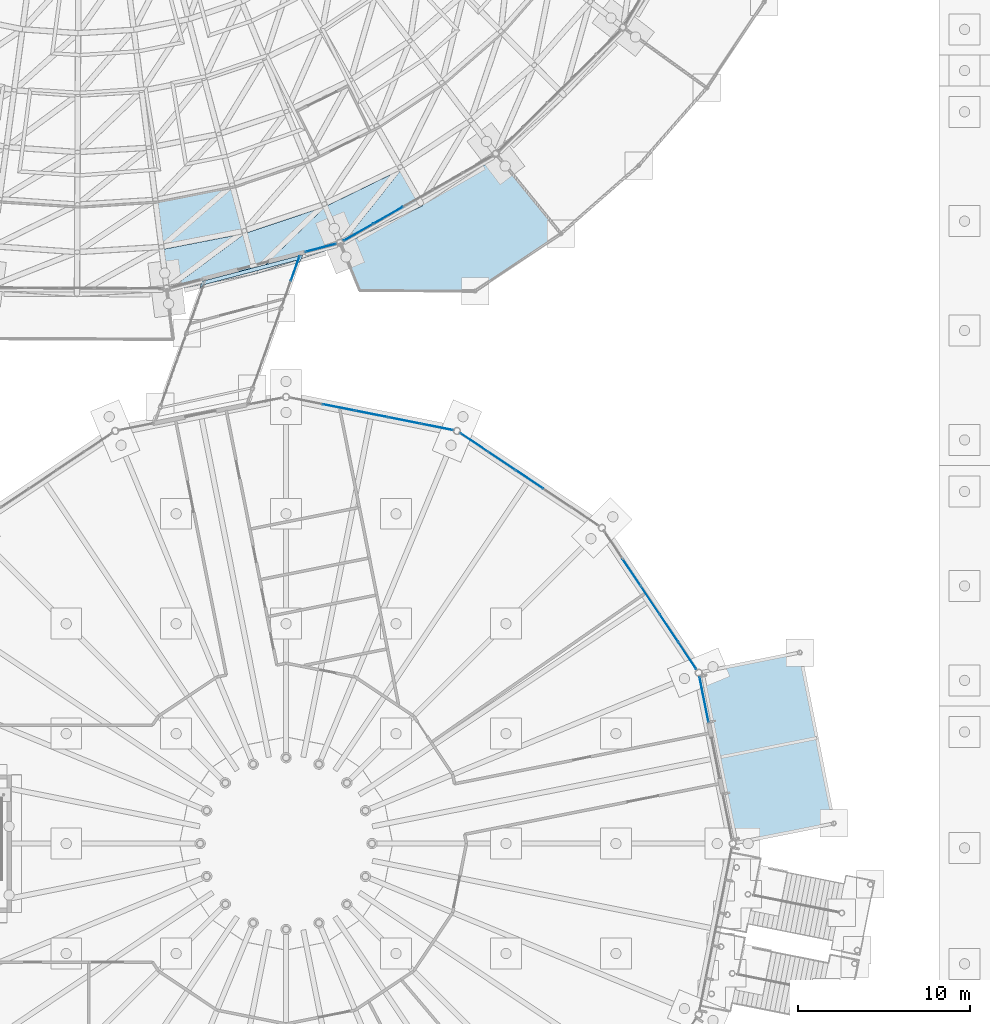
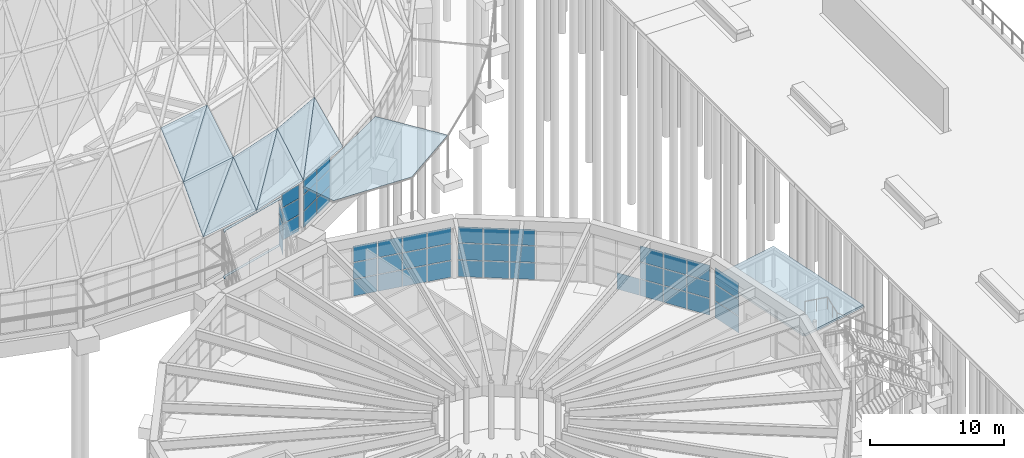
# One storey, part 145 of 226: 57 plates, 1 slab, 7 elements without a shape of their own.
"""IFC4 building model written with IfcOpenShell, lengths in metres."""

from ifc_helpers import new_model, si_unit, direction, frame, origin, origin_2d, place, context, subcontext, project, spatial, polyline, rectangle, outline, extrude, material, layer, layer_set, type_object, element, aggregate, save


model = new_model("IFC4")

# Units and contexts
model_context = context("Model", 3, precision=1e-05, world=origin(), true_north=direction((0.0, 1.0)))
body_context = subcontext(model_context, "Body", "Model", "MODEL_VIEW")
ifc_project = project(units=[si_unit("LENGTHUNIT", "METRE"), si_unit("AREAUNIT", "SQUARE_METRE"), si_unit("VOLUMEUNIT", "CUBIC_METRE"), si_unit("PLANEANGLEUNIT", "RADIAN"), si_unit("MASSUNIT", "GRAM", prefix="KILO")], contexts=[model_context])

# Site, building, storey
site_placement = place(None, origin())
site = spatial("IfcSite", under=ifc_project, at=site_placement, CompositionType="ELEMENT")
building_placement = place(site_placement, origin())
building = spatial("IfcBuilding", under=site, at=building_placement, Name="Ceibo Conservatory and Research Tower", CompositionType="ELEMENT")
storey_placement = place(building_placement, origin())
storey = spatial("IfcBuildingStorey", under=building, at=storey_placement, Name="L00", CompositionType="ELEMENT", Elevation=0.0)

# Plate
ifc_material_1 = material(Name="Laminated glass", Category="glass")
ifc_layer_1 = layer(ifc_material_1, 0.02490234375)
ifc_layer_set_1 = layer_set([ifc_layer_1], Name="Laminated glass")
plate_type_1 = type_object("IfcPlateType", Name="Canopy glass 25", PredefinedType="SHEET", material=ifc_layer_set_1)
plate_1_placement = place(storey_placement, frame((171.24072265625, 70.7470703125, 4.07275390625), z_axis=(-0.022878900714, 0.039944138186, -0.998939949009), x_axis=(0.868196413822, 0.496220702144, -4.2316112e-05)))
element("IfcPlate", 1, at=plate_1_placement, inside=storey, type_object=plate_type_1, Name="Brim canopy plate A-CP20", PredefinedType="SHEET", context=body_context, shape_type="SweptSolid", body=[
    extrude(outline(polyline([(0.0, 0.0), (10.50718953062486, 0.0), (11.456640293276486, 5.68010378332221), (5.454240966244903, 6.100396847066351), (-0.35906193109189305, 2.7294750221048445), (0.0, 0.0)])), origin(), (0.0, 0.0, 1.0), 0.02490234375),
])

# Curtain wall, plates
ifc_material_2 = material(Name="Aluminium and glass", Category="aluminium")
curtain_wall_type_1 = type_object("IfcCurtainWallType", Name="Drum curtain wall", PredefinedType="NOTDEFINED", material=ifc_material_2)
curtain_wall_1_placement = place(storey_placement, origin())
curtain_wall_1 = element("IfcCurtainWall", 2, at=curtain_wall_1_placement, inside=storey, type_object=curtain_wall_type_1, Name="Drum curtain wall A-CW19E", PredefinedType="NOTDEFINED")
ifc_layer_2 = layer(ifc_material_1, 0.028076171875)
ifc_layer_set_2 = layer_set([ifc_layer_2], Name="Laminated glass")
plate_type_2 = type_object("IfcPlateType", Name="Drum glass 28", PredefinedType="CURTAIN_PANEL", material=ifc_layer_set_2)
plate_2_placement = place(storey_placement, frame((170.02001953125, 70.681884765625, 0.06005859375), z_axis=(0.0, 0.0, 1.0), x_axis=(0.967045935266, 0.254601962062, 0.0)))
plate_2 = element("IfcPlate", 3, at=plate_2_placement, type_object=plate_type_2, Name="A-CW19E panel 1.1", PredefinedType="CURTAIN_PANEL", context=body_context, shape_type="SweptSolid", body=[
    extrude(rectangle(XDim=1.80224609375, YDim=0.028076171875, at=origin_2d()), origin(), (0.0, 0.0, 1.0), 1.43994140625),
])
plate_3_placement = place(storey_placement, frame((170.02001953125, 70.681884765625, 1.56005859375), z_axis=(0.0, 0.0, 1.0), x_axis=(0.967045935266, 0.254601962062, 0.0)))
plate_3 = element("IfcPlate", 4, at=plate_3_placement, type_object=plate_type_2, Name="A-CW19E panel 1.2", PredefinedType="CURTAIN_PANEL", context=body_context, shape_type="SweptSolid", body=[
    extrude(rectangle(XDim=1.80224609375, YDim=0.028076171875, at=origin_2d()), origin(), (0.0, 0.0, 1.0), 1.425048828125),
])
plate_4_placement = place(storey_placement, frame((170.02001953125, 70.681884765625, 3.044921875), z_axis=(0.0, 0.0, 1.0), x_axis=(0.967045935266, 0.254601962062, 0.0)))
plate_4 = element("IfcPlate", 5, at=plate_4_placement, type_object=plate_type_2, Name="A-CW19E panel 1.3", PredefinedType="CURTAIN_PANEL", context=body_context, shape_type="SweptSolid", body=[
    extrude(rectangle(XDim=1.80224609375, YDim=0.028076171875, at=origin_2d()), origin(), (0.0, 0.0, 1.0), 1.233154296875),
])
aggregate(curtain_wall_1, [plate_2, plate_3, plate_4])

curtain_wall_2_placement = place(storey_placement, origin())
curtain_wall_2 = element("IfcCurtainWall", 6, at=curtain_wall_2_placement, inside=storey, type_object=curtain_wall_type_1, Name="Drum curtain wall A-CW20", PredefinedType="NOTDEFINED")
plate_5_placement = place(storey_placement, frame((172.206787109375, 71.584716796875, 0.06005859375), z_axis=(0.0, 0.0, 1.0), x_axis=(0.868198821002, 0.49621649228, 0.0)))
plate_5 = element("IfcPlate", 7, at=plate_5_placement, type_object=plate_type_2, Name="A-CW20 panel 1.1", PredefinedType="CURTAIN_PANEL", context=body_context, shape_type="SweptSolid", body=[
    extrude(rectangle(XDim=1.917236328125, YDim=0.028076171875, at=origin_2d()), origin(), (0.0, 0.0, 1.0), 1.43994140625),
])
plate_6_placement = place(storey_placement, frame((172.206787109375, 71.584716796875, 1.56005859375), z_axis=(0.0, 0.0, 1.0), x_axis=(0.868198821002, 0.49621649228, 0.0)))
plate_6 = element("IfcPlate", 8, at=plate_6_placement, type_object=plate_type_2, Name="A-CW20 panel 1.2", PredefinedType="CURTAIN_PANEL", context=body_context, shape_type="SweptSolid", body=[
    extrude(rectangle(XDim=1.917236328125, YDim=0.028076171875, at=origin_2d()), origin(), (0.0, 0.0, 1.0), 1.425048828125),
])
plate_7_placement = place(storey_placement, frame((172.206787109375, 71.584716796875, 3.044921875), z_axis=(0.0, 0.0, 1.0), x_axis=(0.868198821002, 0.49621649228, 0.0)))
plate_7 = element("IfcPlate", 9, at=plate_7_placement, type_object=plate_type_2, Name="A-CW20 panel 1.3", PredefinedType="CURTAIN_PANEL", context=body_context, shape_type="SweptSolid", body=[
    extrude(rectangle(XDim=1.917236328125, YDim=0.028076171875, at=origin_2d()), origin(), (0.0, 0.0, 1.0), 1.233154296875),
])
plate_8_placement = place(storey_placement, frame((173.936279296875, 72.5732421875, 0.06005859375), z_axis=(0.0, 0.0, 1.0), x_axis=(0.868198821002, 0.49621649228, 0.0)))
plate_8 = element("IfcPlate", 10, at=plate_8_placement, type_object=plate_type_2, Name="A-CW20 panel 2.1", PredefinedType="CURTAIN_PANEL", context=body_context, shape_type="SweptSolid", body=[
    extrude(rectangle(XDim=1.947021484375, YDim=0.028076171875, at=origin_2d()), origin(), (0.0, 0.0, 1.0), 1.43994140625),
])
plate_9_placement = place(storey_placement, frame((173.936279296875, 72.5732421875, 1.56005859375), z_axis=(0.0, 0.0, 1.0), x_axis=(0.868198821002, 0.49621649228, 0.0)))
plate_9 = element("IfcPlate", 11, at=plate_9_placement, type_object=plate_type_2, Name="A-CW20 panel 2.2", PredefinedType="CURTAIN_PANEL", context=body_context, shape_type="SweptSolid", body=[
    extrude(rectangle(XDim=1.947021484375, YDim=0.028076171875, at=origin_2d()), origin(), (0.0, 0.0, 1.0), 1.425048828125),
])
plate_10_placement = place(storey_placement, frame((173.936279296875, 72.5732421875, 3.044921875), z_axis=(0.0, 0.0, 1.0), x_axis=(0.868198821002, 0.49621649228, 0.0)))
plate_10 = element("IfcPlate", 12, at=plate_10_placement, type_object=plate_type_2, Name="A-CW20 panel 2.3", PredefinedType="CURTAIN_PANEL", context=body_context, shape_type="SweptSolid", body=[
    extrude(rectangle(XDim=1.947021484375, YDim=0.028076171875, at=origin_2d()), origin(), (0.0, 0.0, 1.0), 1.233154296875),
])
aggregate(curtain_wall_2, [plate_5, plate_6, plate_7, plate_8, plate_9, plate_10])

curtain_wall_type_2 = type_object("IfcCurtainWallType", Name="Gallery curtain wall", PredefinedType="NOTDEFINED", material=ifc_material_2)
curtain_wall_3_placement = place(storey_placement, origin())
curtain_wall_3 = element("IfcCurtainWall", 13, at=curtain_wall_3_placement, inside=storey, type_object=curtain_wall_type_2, Name="Gallery curtain wall A-VC-CWN01", PredefinedType="NOTDEFINED")
ifc_layer_3 = layer(ifc_material_1, 0.028076171875)
ifc_layer_set_3 = layer_set([ifc_layer_3], Name="Laminated glass")
plate_type_3 = type_object("IfcPlateType", Name="Gallery glass 28", PredefinedType="CURTAIN_PANEL", material=ifc_layer_set_3)
plate_11_placement = place(storey_placement, frame((168.529296875, 69.47509765625, 0.06005859375), z_axis=(0.0, 0.0, 1.0), x_axis=(-0.335040023954, -0.942203896378, 0.0)))
plate_11 = element("IfcPlate", 14, at=plate_11_placement, type_object=plate_type_3, Name="A-VC-CWN01 panel 1.1", PredefinedType="CURTAIN_PANEL", context=body_context, shape_type="SweptSolid", body=[
    extrude(rectangle(XDim=1.484375, YDim=0.028076171875, at=origin_2d()), origin(), (0.0, 0.0, 1.0), 1.31005859375),
])
plate_12_placement = place(storey_placement, frame((168.529296875, 69.47509765625, 1.43017578125), z_axis=(0.0, 0.0, 1.0), x_axis=(-0.335040023954, -0.942203896378, 0.0)))
plate_12 = element("IfcPlate", 15, at=plate_12_placement, type_object=plate_type_3, Name="A-VC-CWN01 panel 1.2", PredefinedType="CURTAIN_PANEL", context=body_context, shape_type="SweptSolid", body=[
    extrude(rectangle(XDim=1.484375, YDim=0.028076171875, at=origin_2d()), origin(), (0.0, 0.0, 1.0), 1.340087890625),
])
plate_13_placement = place(storey_placement, frame((168.529296875, 69.47509765625, 2.830078125), z_axis=(0.0, 0.0, 1.0), x_axis=(-0.335040023954, -0.942203896378, 0.0)))
plate_13 = element("IfcPlate", 16, at=plate_13_placement, type_object=plate_type_3, Name="A-VC-CWN01 panel 1.3", PredefinedType="CURTAIN_PANEL", context=body_context, shape_type="SweptSolid", body=[
    extrude(rectangle(XDim=1.484375, YDim=0.028076171875, at=origin_2d()), origin(), (0.0, 0.0, 1.0), 0.909912109375),
])
aggregate(curtain_wall_3, [plate_11, plate_12, plate_13])

# Plates
ifc_layer_4 = layer(ifc_material_1, 0.035888671875)
ifc_layer_set_4 = layer_set([ifc_layer_4], Name="Laminated glass")
plate_type_4 = type_object("IfcPlateType", Name="Gridshell roof glass 36", PredefinedType="SHEET", material=ifc_layer_set_4)
plate_14_placement = place(storey_placement, frame((161.069091796875, 68.15380859375, 4.601806640625), z_axis=(0.158319653824, -0.814738778815, 0.557795311479), x_axis=(0.981638357486, 0.190751500946, 0.0)))
element("IfcPlate", 17, at=plate_14_placement, inside=storey, type_object=plate_type_4, Name="Glass panel A-P01-073", PredefinedType="SHEET", context=body_context, shape_type="SweptSolid", body=[
    extrude(outline(polyline([(0.0, 0.0), (5.253941702457205, 1.1102230246251565e-16), (5.093939743978923, 4.374936585347089), (0.0, 0.0)])), origin(), (0.0, 0.0, -1.0), 0.035888671875),
])
plate_15_placement = place(storey_placement, frame((161.069091796875, 68.15380859375, 4.601806640625), z_axis=(0.158457346714, -0.814794412678, 0.557674936088), x_axis=(0.675362560417, 0.501458973527, 0.540762711229)))
element("IfcPlate", 18, at=plate_15_placement, inside=storey, type_object=plate_type_4, Name="Glass panel A-P01-074", PredefinedType="SHEET", context=body_context, shape_type="SweptSolid", body=[
    extrude(outline(polyline([(0.0, 0.0), (6.71478162274072, 8.881784197001252e-16), (2.9715025227845504, 3.214375672527901), (0.0, 0.0)])), origin(), (0.0, 0.0, -1.0), 0.035888671875),
])
plate_16_placement = place(storey_placement, frame((166.2265625, 69.156005859375, 4.601806640625), z_axis=(0.263319331949, -0.787104212811, 0.557790182414), x_axis=(0.948338900526, 0.317259089309, 0.0)))
element("IfcPlate", 19, at=plate_16_placement, inside=storey, type_object=plate_type_4, Name="Glass panel A-P01-075", PredefinedType="SHEET", context=body_context, shape_type="SweptSolid", body=[
    extrude(outline(polyline([(0.0, 0.0), (5.254355962289331, 0.0), (5.094263083208822, 4.374918415704696), (0.0, 0.0)])), origin(), (0.0, 0.0, -1.0), 0.035888671875),
])
plate_17_placement = place(storey_placement, frame((166.2265625, 69.156005859375, 4.601806640625), z_axis=(0.263311939698, -0.787102300093, 0.55779637109), x_axis=(0.60415125181, 0.585318108136, 0.540743910945)))
element("IfcPlate", 20, at=plate_17_placement, inside=storey, type_object=plate_type_4, Name="Glass panel A-P01-076", PredefinedType="SHEET", context=body_context, shape_type="SweptSolid", body=[
    extrude(outline(polyline([(0.0, 0.0), (6.71501507853976, -4.440892098500626e-16), (2.9716491720905545, 3.214805118594104), (0.0, 0.0)])), origin(), (0.0, 0.0, -1.0), 0.035888671875),
])
plate_18_placement = place(storey_placement, frame((171.20947265625, 70.822998046875, 4.601806640625), z_axis=(0.363884578057, -0.745971097704, 0.557776958328), x_axis=(0.898770231796, 0.43841997039, 0.0)))
element("IfcPlate", 21, at=plate_18_placement, inside=storey, type_object=plate_type_4, Name="Glass panel A-P01-077", PredefinedType="SHEET", context=body_context, shape_type="SweptSolid", body=[
    extrude(outline(polyline([(0.0, 0.0), (5.254575733512763, 0.0), (5.094047725656487, 4.374871571375479), (0.0, 0.0)])), origin(), (0.0, 0.0, -1.0), 0.035888671875),
])
plate_19_placement = place(storey_placement, frame((171.20947265625, 70.822998046875, 4.601806640625), z_axis=(0.363867270271, -0.745968972597, 0.557791091312), x_axis=(0.52250757349, 0.659215420982, 0.540759525469)))
element("IfcPlate", 22, at=plate_19_placement, inside=storey, type_object=plate_type_4, Name="Glass panel A-P01-078", PredefinedType="SHEET", context=body_context, shape_type="SweptSolid", body=[
    extrude(outline(polyline([(0.0, 0.0), (6.714821181334271, 0.0), (2.9717850009710016, 3.2146593570716235), (0.0, 0.0)])), origin(), (0.0, 0.0, -1.0), 0.035888671875),
])
plate_20_placement = place(storey_placement, frame((160.7607421875, 70.5791015625, 8.23291015625), z_axis=(0.147869955787, -0.760353598471, 0.632453066613), x_axis=(0.981609723721, 0.190898795953, 0.0)))
element("IfcPlate", 23, at=plate_20_placement, inside=storey, type_object=plate_type_4, Name="Glass panel A-P02-073", PredefinedType="SHEET", context=body_context, shape_type="SweptSolid", body=[
    extrude(outline(polyline([(0.0, 0.0), (4.933999329581213, -1.1102230246251565e-16), (4.752811163246886, 4.372854110007431), (0.0, 0.0)])), origin(), (0.0, 0.0, -1.0), 0.035888671875),
])
plate_21_placement = place(storey_placement, frame((160.7607421875, 70.5791015625, 8.23291015625), z_axis=(0.14787700298, -0.760356662597, 0.6324477351), x_axis=(0.640629939904, 0.560829986925, 0.524464494379)))
element("IfcPlate", 24, at=plate_21_placement, inside=storey, type_object=plate_type_4, Name="Glass panel A-P02-074", PredefinedType="SHEET", context=body_context, shape_type="SweptSolid", body=[
    extrude(outline(polyline([(0.0, 0.0), (6.45841056459661, 4.440892098500626e-16), (3.0939020786154625, 3.0955052885199965), (0.0, 0.0)])), origin(), (0.0, 0.0, -1.0), 0.035888671875),
])
ifc_material_3 = material(Name="Stainless steel AISI 316", Category="steel")
ifc_layer_5 = layer(ifc_material_3, 0.010009765625)
ifc_layer_set_5 = layer_set([ifc_layer_5], Name="Stainless steel AISI 316")
plate_type_5 = type_object("IfcPlateType", Name="Movement joint floor cover plate 10", PredefinedType="SHEET", material=ifc_layer_set_5)
plate_22_placement = place(storey_placement, origin())
element("IfcPlate", 25, at=plate_22_placement, inside=storey, type_object=plate_type_5, Name="Movement joint cover floor A-VC-JF02", PredefinedType="SHEET", context=body_context, shape_type="SweptSolid", body=[
    extrude(outline(polyline([(168.703369140625, 69.875), (168.743896484375, 69.9892578125), (163.170166015625, 68.521728515625), (163.12939453125, 68.40771484375), (162.989013671875, 68.37060546875), (163.118896484375, 68.73583984375), (168.9736328125, 70.277099609375), (168.84375, 69.912109375), (168.703369140625, 69.875)])), origin(), (0.0, 0.0, 1.0), 0.010009765625),
])
ifc_layer_6 = layer(ifc_material_3, 0.010009765625)
ifc_layer_set_6 = layer_set([ifc_layer_6], Name="Stainless steel AISI 316")
plate_type_6 = type_object("IfcPlateType", Name="Movement joint roof cover plate 10", PredefinedType="SHEET", material=ifc_layer_set_6)
plate_23_placement = place(storey_placement, frame((0.0, 0.0, 4.199951171875)))
element("IfcPlate", 26, at=plate_23_placement, inside=storey, type_object=plate_type_6, Name="Movement joint cover roof A-VC-JR02", PredefinedType="SHEET", context=body_context, shape_type="SweptSolid", body=[
    extrude(outline(polyline([(168.703369140625, 69.875), (168.743896484375, 69.9892578125), (163.170166015625, 68.521728515625), (163.12939453125, 68.40771484375), (162.989013671875, 68.37060546875), (163.118896484375, 68.73583984375), (168.9736328125, 70.277099609375), (168.84375, 69.912109375), (168.703369140625, 69.875)])), origin(), (0.0, 0.0, 1.0), 0.010009765625),
])

# Curtain wall, plates
curtain_wall_type_3 = type_object("IfcCurtainWallType", Name="Pavilion curtain wall", PredefinedType="NOTDEFINED", material=ifc_material_2)
curtain_wall_4_placement = place(storey_placement, origin())
curtain_wall_4 = element("IfcCurtainWall", 27, at=curtain_wall_4_placement, inside=storey, type_object=curtain_wall_type_3, Name="Pavilion curtain wall VC-CW01E", PredefinedType="NOTDEFINED")
ifc_layer_7 = layer(ifc_material_1, 0.028076171875)
ifc_layer_set_7 = layer_set([ifc_layer_7], Name="Laminated glass")
plate_type_7 = type_object("IfcPlateType", Name="Pavilion glass 28", PredefinedType="CURTAIN_PANEL", material=ifc_layer_set_7)
plate_24_placement = place(storey_placement, frame((192.33056640625, 44.392578125, 0.06005859375), z_axis=(0.0, 0.0, 1.0), x_axis=(-0.195090311899, 0.980785282416, 0.0)))
plate_24 = element("IfcPlate", 28, at=plate_24_placement, type_object=plate_type_7, Name="VC-CW01E panel 1.1", PredefinedType="CURTAIN_PANEL", context=body_context, shape_type="SweptSolid", body=[
    extrude(rectangle(XDim=2.649169921875, YDim=0.028076171875, at=origin_2d()), origin(), (0.0, 0.0, 1.0), 1.490966796875),
])
plate_25_placement = place(storey_placement, frame((192.33056640625, 44.392578125, 1.61083984375), z_axis=(0.0, 0.0, 1.0), x_axis=(-0.195090311899, 0.980785282416, 0.0)))
plate_25 = element("IfcPlate", 29, at=plate_25_placement, type_object=plate_type_7, Name="VC-CW01E panel 1.2", PredefinedType="CURTAIN_PANEL", context=body_context, shape_type="SweptSolid", body=[
    extrude(rectangle(XDim=2.649169921875, YDim=0.028076171875, at=origin_2d()), origin(), (0.0, 0.0, 1.0), 1.47412109375),
])
plate_26_placement = place(storey_placement, frame((192.33056640625, 44.392578125, 3.14501953125), z_axis=(0.0, 0.0, 1.0), x_axis=(-0.195090311899, 0.980785282416, 0.0)))
plate_26 = element("IfcPlate", 30, at=plate_26_placement, type_object=plate_type_7, Name="VC-CW01E panel 1.3", PredefinedType="CURTAIN_PANEL", context=body_context, shape_type="SweptSolid", body=[
    extrude(rectangle(XDim=2.649169921875, YDim=0.028076171875, at=origin_2d()), origin(), (0.0, 0.0, 1.0), 1.444091796875),
])
aggregate(curtain_wall_4, [plate_24, plate_25, plate_26])

curtain_wall_5_placement = place(storey_placement, origin())
curtain_wall_5 = element("IfcCurtainWall", 31, at=curtain_wall_5_placement, inside=storey, type_object=curtain_wall_type_3, Name="Pavilion curtain wall VC-CW02", PredefinedType="NOTDEFINED")
plate_27_placement = place(storey_placement, frame((191.358642578125, 46.94091796875, 0.06005859375), z_axis=(0.0, 0.0, 1.0), x_axis=(-0.555570267906, 0.831469588992, 0.0)))
plate_27 = element("IfcPlate", 32, at=plate_27_placement, type_object=plate_type_7, Name="VC-CW02 panel 1.1", PredefinedType="CURTAIN_PANEL", context=body_context, shape_type="SweptSolid", body=[
    extrude(rectangle(XDim=1.857666015625, YDim=0.028076171875, at=origin_2d()), origin(), (0.0, 0.0, 1.0), 1.490966796875),
])
plate_28_placement = place(storey_placement, frame((191.358642578125, 46.94091796875, 1.61083984375), z_axis=(0.0, 0.0, 1.0), x_axis=(-0.555570267906, 0.831469588992, 0.0)))
plate_28 = element("IfcPlate", 33, at=plate_28_placement, type_object=plate_type_7, Name="VC-CW02 panel 1.2", PredefinedType="CURTAIN_PANEL", context=body_context, shape_type="SweptSolid", body=[
    extrude(rectangle(XDim=1.857666015625, YDim=0.028076171875, at=origin_2d()), origin(), (0.0, 0.0, 1.0), 1.47412109375),
])
plate_29_placement = place(storey_placement, frame((191.358642578125, 46.94091796875, 3.14501953125), z_axis=(0.0, 0.0, 1.0), x_axis=(-0.555570267906, 0.831469588992, 0.0)))
plate_29 = element("IfcPlate", 34, at=plate_29_placement, type_object=plate_type_7, Name="VC-CW02 panel 1.3", PredefinedType="CURTAIN_PANEL", context=body_context, shape_type="SweptSolid", body=[
    extrude(rectangle(XDim=1.857666015625, YDim=0.028076171875, at=origin_2d()), origin(), (0.0, 0.0, 1.0), 1.444091796875),
])
plate_30_placement = place(storey_placement, frame((190.284912109375, 48.5478515625, 0.06005859375), z_axis=(0.0, 0.0, 1.0), x_axis=(-0.555570267906, 0.831469588992, 0.0)))
plate_30 = element("IfcPlate", 35, at=plate_30_placement, type_object=plate_type_7, Name="VC-CW02 panel 2.1", PredefinedType="CURTAIN_PANEL", context=body_context, shape_type="SweptSolid", body=[
    extrude(rectangle(XDim=1.8876953125, YDim=0.028076171875, at=origin_2d()), origin(), (0.0, 0.0, 1.0), 1.490966796875),
])
plate_31_placement = place(storey_placement, frame((190.284912109375, 48.5478515625, 1.61083984375), z_axis=(0.0, 0.0, 1.0), x_axis=(-0.555570267906, 0.831469588992, 0.0)))
plate_31 = element("IfcPlate", 36, at=plate_31_placement, type_object=plate_type_7, Name="VC-CW02 panel 2.2", PredefinedType="CURTAIN_PANEL", context=body_context, shape_type="SweptSolid", body=[
    extrude(rectangle(XDim=1.8876953125, YDim=0.028076171875, at=origin_2d()), origin(), (0.0, 0.0, 1.0), 1.47412109375),
])
plate_32_placement = place(storey_placement, frame((190.284912109375, 48.5478515625, 3.14501953125), z_axis=(0.0, 0.0, 1.0), x_axis=(-0.555570267906, 0.831469588992, 0.0)))
plate_32 = element("IfcPlate", 37, at=plate_32_placement, type_object=plate_type_7, Name="VC-CW02 panel 2.3", PredefinedType="CURTAIN_PANEL", context=body_context, shape_type="SweptSolid", body=[
    extrude(rectangle(XDim=1.8876953125, YDim=0.028076171875, at=origin_2d()), origin(), (0.0, 0.0, 1.0), 1.444091796875),
])
plate_33_placement = place(storey_placement, frame((189.202880859375, 50.167236328125, 0.06005859375), z_axis=(0.0, 0.0, 1.0), x_axis=(-0.555570267906, 0.831469588992, 0.0)))
plate_33 = element("IfcPlate", 38, at=plate_33_placement, type_object=plate_type_7, Name="VC-CW02 panel 3.1", PredefinedType="CURTAIN_PANEL", context=body_context, shape_type="SweptSolid", body=[
    extrude(rectangle(XDim=1.8876953125, YDim=0.028076171875, at=origin_2d()), origin(), (0.0, 0.0, 1.0), 1.490966796875),
])
plate_34_placement = place(storey_placement, frame((189.202880859375, 50.167236328125, 1.61083984375), z_axis=(0.0, 0.0, 1.0), x_axis=(-0.555570267906, 0.831469588992, 0.0)))
plate_34 = element("IfcPlate", 39, at=plate_34_placement, type_object=plate_type_7, Name="VC-CW02 panel 3.2", PredefinedType="CURTAIN_PANEL", context=body_context, shape_type="SweptSolid", body=[
    extrude(rectangle(XDim=1.8876953125, YDim=0.028076171875, at=origin_2d()), origin(), (0.0, 0.0, 1.0), 1.47412109375),
])
plate_35_placement = place(storey_placement, frame((189.202880859375, 50.167236328125, 3.14501953125), z_axis=(0.0, 0.0, 1.0), x_axis=(-0.555570267906, 0.831469588992, 0.0)))
plate_35 = element("IfcPlate", 40, at=plate_35_placement, type_object=plate_type_7, Name="VC-CW02 panel 3.3", PredefinedType="CURTAIN_PANEL", context=body_context, shape_type="SweptSolid", body=[
    extrude(rectangle(XDim=1.8876953125, YDim=0.028076171875, at=origin_2d()), origin(), (0.0, 0.0, 1.0), 1.444091796875),
])
plate_36_placement = place(storey_placement, frame((188.120849609375, 51.78662109375, 0.06005859375), z_axis=(0.0, 0.0, 1.0), x_axis=(-0.555570267906, 0.831469588992, 0.0)))
plate_36 = element("IfcPlate", 41, at=plate_36_placement, type_object=plate_type_7, Name="VC-CW02 panel 4.1", PredefinedType="CURTAIN_PANEL", context=body_context, shape_type="SweptSolid", body=[
    extrude(rectangle(XDim=1.8876953125, YDim=0.028076171875, at=origin_2d()), origin(), (0.0, 0.0, 1.0), 1.490966796875),
])
aggregate(curtain_wall_5, [plate_27, plate_28, plate_29, plate_30, plate_31, plate_32, plate_33, plate_34, plate_35, plate_36])

curtain_wall_6_placement = place(storey_placement, origin())
curtain_wall_6 = element("IfcCurtainWall", 42, at=curtain_wall_6_placement, inside=storey, type_object=curtain_wall_type_3, Name="Pavilion curtain wall VC-CW03", PredefinedType="NOTDEFINED")
plate_37_placement = place(storey_placement, frame((182.167236328125, 57.202880859375, 0.06005859375), z_axis=(0.0, 0.0, 1.0), x_axis=(-0.831469588992, 0.555570267906, 0.0)))
plate_37 = element("IfcPlate", 43, at=plate_37_placement, type_object=plate_type_7, Name="VC-CW03 panel 3.1", PredefinedType="CURTAIN_PANEL", context=body_context, shape_type="SweptSolid", body=[
    extrude(rectangle(XDim=1.8876953125, YDim=0.028076171875, at=origin_2d()), origin(), (0.0, 0.0, 1.0), 1.490966796875),
])
plate_38_placement = place(storey_placement, frame((182.167236328125, 57.202880859375, 1.61083984375), z_axis=(0.0, 0.0, 1.0), x_axis=(-0.831469588992, 0.555570267906, 0.0)))
plate_38 = element("IfcPlate", 44, at=plate_38_placement, type_object=plate_type_7, Name="VC-CW03 panel 3.2", PredefinedType="CURTAIN_PANEL", context=body_context, shape_type="SweptSolid", body=[
    extrude(rectangle(XDim=1.8876953125, YDim=0.028076171875, at=origin_2d()), origin(), (0.0, 0.0, 1.0), 1.47412109375),
])
plate_39_placement = place(storey_placement, frame((182.167236328125, 57.202880859375, 3.14501953125), z_axis=(0.0, 0.0, 1.0), x_axis=(-0.831469588992, 0.555570267906, 0.0)))
plate_39 = element("IfcPlate", 45, at=plate_39_placement, type_object=plate_type_7, Name="VC-CW03 panel 3.3", PredefinedType="CURTAIN_PANEL", context=body_context, shape_type="SweptSolid", body=[
    extrude(rectangle(XDim=1.8876953125, YDim=0.028076171875, at=origin_2d()), origin(), (0.0, 0.0, 1.0), 1.444091796875),
])
plate_40_placement = place(storey_placement, frame((180.5478515625, 58.284912109375, 0.06005859375), z_axis=(0.0, 0.0, 1.0), x_axis=(-0.831469588992, 0.555570267906, 0.0)))
plate_40 = element("IfcPlate", 46, at=plate_40_placement, type_object=plate_type_7, Name="VC-CW03 panel 4.1", PredefinedType="CURTAIN_PANEL", context=body_context, shape_type="SweptSolid", body=[
    extrude(rectangle(XDim=1.8876953125, YDim=0.028076171875, at=origin_2d()), origin(), (0.0, 0.0, 1.0), 1.490966796875),
])
plate_41_placement = place(storey_placement, frame((180.5478515625, 58.284912109375, 1.61083984375), z_axis=(0.0, 0.0, 1.0), x_axis=(-0.831469588992, 0.555570267906, 0.0)))
plate_41 = element("IfcPlate", 47, at=plate_41_placement, type_object=plate_type_7, Name="VC-CW03 panel 4.2", PredefinedType="CURTAIN_PANEL", context=body_context, shape_type="SweptSolid", body=[
    extrude(rectangle(XDim=1.8876953125, YDim=0.028076171875, at=origin_2d()), origin(), (0.0, 0.0, 1.0), 1.47412109375),
])
plate_42_placement = place(storey_placement, frame((180.5478515625, 58.284912109375, 3.14501953125), z_axis=(0.0, 0.0, 1.0), x_axis=(-0.831469588992, 0.555570267906, 0.0)))
plate_42 = element("IfcPlate", 48, at=plate_42_placement, type_object=plate_type_7, Name="VC-CW03 panel 4.3", PredefinedType="CURTAIN_PANEL", context=body_context, shape_type="SweptSolid", body=[
    extrude(rectangle(XDim=1.8876953125, YDim=0.028076171875, at=origin_2d()), origin(), (0.0, 0.0, 1.0), 1.444091796875),
])
plate_43_placement = place(storey_placement, frame((178.94091796875, 59.358642578125, 0.06005859375), z_axis=(0.0, 0.0, 1.0), x_axis=(-0.831469588992, 0.555570267906, 0.0)))
plate_43 = element("IfcPlate", 49, at=plate_43_placement, type_object=plate_type_7, Name="VC-CW03 panel 5.1", PredefinedType="CURTAIN_PANEL", context=body_context, shape_type="SweptSolid", body=[
    extrude(rectangle(XDim=1.857666015625, YDim=0.028076171875, at=origin_2d()), origin(), (0.0, 0.0, 1.0), 1.490966796875),
])
plate_44_placement = place(storey_placement, frame((178.94091796875, 59.358642578125, 1.61083984375), z_axis=(0.0, 0.0, 1.0), x_axis=(-0.831469588992, 0.555570267906, 0.0)))
plate_44 = element("IfcPlate", 50, at=plate_44_placement, type_object=plate_type_7, Name="VC-CW03 panel 5.2", PredefinedType="CURTAIN_PANEL", context=body_context, shape_type="SweptSolid", body=[
    extrude(rectangle(XDim=1.857666015625, YDim=0.028076171875, at=origin_2d()), origin(), (0.0, 0.0, 1.0), 1.47412109375),
])
plate_45_placement = place(storey_placement, frame((178.94091796875, 59.358642578125, 3.14501953125), z_axis=(0.0, 0.0, 1.0), x_axis=(-0.831469588992, 0.555570267906, 0.0)))
plate_45 = element("IfcPlate", 51, at=plate_45_placement, type_object=plate_type_7, Name="VC-CW03 panel 5.3", PredefinedType="CURTAIN_PANEL", context=body_context, shape_type="SweptSolid", body=[
    extrude(rectangle(XDim=1.857666015625, YDim=0.028076171875, at=origin_2d()), origin(), (0.0, 0.0, 1.0), 1.444091796875),
])
aggregate(curtain_wall_6, [plate_37, plate_38, plate_39, plate_40, plate_41, plate_42, plate_43, plate_44, plate_45])

curtain_wall_7_placement = place(storey_placement, origin())
curtain_wall_7 = element("IfcCurtainWall", 52, at=curtain_wall_7_placement, inside=storey, type_object=curtain_wall_type_3, Name="Pavilion curtain wall VC-CW04", PredefinedType="NOTDEFINED")
plate_46_placement = place(storey_placement, frame((176.78076171875, 60.25341796875, 0.06005859375), z_axis=(0.0, 0.0, 1.0), x_axis=(-0.980785282416, 0.195090311899, 0.0)))
plate_46 = element("IfcPlate", 53, at=plate_46_placement, type_object=plate_type_7, Name="VC-CW04 panel 1.1", PredefinedType="CURTAIN_PANEL", context=body_context, shape_type="SweptSolid", body=[
    extrude(rectangle(XDim=1.857666015625, YDim=0.028076171875, at=origin_2d()), origin(), (0.0, 0.0, 1.0), 1.490966796875),
])
plate_47_placement = place(storey_placement, frame((176.78076171875, 60.25341796875, 1.61083984375), z_axis=(0.0, 0.0, 1.0), x_axis=(-0.980785282416, 0.195090311899, 0.0)))
plate_47 = element("IfcPlate", 54, at=plate_47_placement, type_object=plate_type_7, Name="VC-CW04 panel 1.2", PredefinedType="CURTAIN_PANEL", context=body_context, shape_type="SweptSolid", body=[
    extrude(rectangle(XDim=1.857666015625, YDim=0.028076171875, at=origin_2d()), origin(), (0.0, 0.0, 1.0), 1.47412109375),
])
plate_48_placement = place(storey_placement, frame((176.78076171875, 60.25341796875, 3.14501953125), z_axis=(0.0, 0.0, 1.0), x_axis=(-0.980785282416, 0.195090311899, 0.0)))
plate_48 = element("IfcPlate", 55, at=plate_48_placement, type_object=plate_type_7, Name="VC-CW04 panel 1.3", PredefinedType="CURTAIN_PANEL", context=body_context, shape_type="SweptSolid", body=[
    extrude(rectangle(XDim=1.857666015625, YDim=0.028076171875, at=origin_2d()), origin(), (0.0, 0.0, 1.0), 1.444091796875),
])
plate_49_placement = place(storey_placement, frame((174.885009765625, 60.63037109375, 0.06005859375), z_axis=(0.0, 0.0, 1.0), x_axis=(-0.980785282416, 0.195090311899, 0.0)))
plate_49 = element("IfcPlate", 56, at=plate_49_placement, type_object=plate_type_7, Name="VC-CW04 panel 2.1", PredefinedType="CURTAIN_PANEL", context=body_context, shape_type="SweptSolid", body=[
    extrude(rectangle(XDim=1.8876953125, YDim=0.028076171875, at=origin_2d()), origin(), (0.0, 0.0, 1.0), 1.490966796875),
])
plate_50_placement = place(storey_placement, frame((174.885009765625, 60.63037109375, 1.61083984375), z_axis=(0.0, 0.0, 1.0), x_axis=(-0.980785282416, 0.195090311899, 0.0)))
plate_50 = element("IfcPlate", 57, at=plate_50_placement, type_object=plate_type_7, Name="VC-CW04 panel 2.2", PredefinedType="CURTAIN_PANEL", context=body_context, shape_type="SweptSolid", body=[
    extrude(rectangle(XDim=1.8876953125, YDim=0.028076171875, at=origin_2d()), origin(), (0.0, 0.0, 1.0), 1.47412109375),
])
plate_51_placement = place(storey_placement, frame((174.885009765625, 60.63037109375, 3.14501953125), z_axis=(0.0, 0.0, 1.0), x_axis=(-0.980785282416, 0.195090311899, 0.0)))
plate_51 = element("IfcPlate", 58, at=plate_51_placement, type_object=plate_type_7, Name="VC-CW04 panel 2.3", PredefinedType="CURTAIN_PANEL", context=body_context, shape_type="SweptSolid", body=[
    extrude(rectangle(XDim=1.8876953125, YDim=0.028076171875, at=origin_2d()), origin(), (0.0, 0.0, 1.0), 1.444091796875),
])
plate_52_placement = place(storey_placement, frame((172.974853515625, 61.010498046875, 0.06005859375), z_axis=(0.0, 0.0, 1.0), x_axis=(-0.980785282416, 0.195090311899, 0.0)))
plate_52 = element("IfcPlate", 59, at=plate_52_placement, type_object=plate_type_7, Name="VC-CW04 panel 3.1", PredefinedType="CURTAIN_PANEL", context=body_context, shape_type="SweptSolid", body=[
    extrude(rectangle(XDim=1.8876953125, YDim=0.028076171875, at=origin_2d()), origin(), (0.0, 0.0, 1.0), 1.490966796875),
])
plate_53_placement = place(storey_placement, frame((172.974853515625, 61.010498046875, 1.61083984375), z_axis=(0.0, 0.0, 1.0), x_axis=(-0.980785282416, 0.195090311899, 0.0)))
plate_53 = element("IfcPlate", 60, at=plate_53_placement, type_object=plate_type_7, Name="VC-CW04 panel 3.2", PredefinedType="CURTAIN_PANEL", context=body_context, shape_type="SweptSolid", body=[
    extrude(rectangle(XDim=1.8876953125, YDim=0.028076171875, at=origin_2d()), origin(), (0.0, 0.0, 1.0), 1.47412109375),
])
plate_54_placement = place(storey_placement, frame((172.974853515625, 61.010498046875, 3.14501953125), z_axis=(0.0, 0.0, 1.0), x_axis=(-0.980785282416, 0.195090311899, 0.0)))
plate_54 = element("IfcPlate", 61, at=plate_54_placement, type_object=plate_type_7, Name="VC-CW04 panel 3.3", PredefinedType="CURTAIN_PANEL", context=body_context, shape_type="SweptSolid", body=[
    extrude(rectangle(XDim=1.8876953125, YDim=0.028076171875, at=origin_2d()), origin(), (0.0, 0.0, 1.0), 1.444091796875),
])
plate_55_placement = place(storey_placement, frame((171.064697265625, 61.390380859375, 0.06005859375), z_axis=(0.0, 0.0, 1.0), x_axis=(-0.980785282416, 0.195090311899, 0.0)))
plate_55 = element("IfcPlate", 62, at=plate_55_placement, type_object=plate_type_7, Name="VC-CW04 panel 4.1", PredefinedType="CURTAIN_PANEL", context=body_context, shape_type="SweptSolid", body=[
    extrude(rectangle(XDim=1.8876953125, YDim=0.028076171875, at=origin_2d()), origin(), (0.0, 0.0, 1.0), 1.490966796875),
])
plate_56_placement = place(storey_placement, frame((171.064697265625, 61.390380859375, 1.61083984375), z_axis=(0.0, 0.0, 1.0), x_axis=(-0.980785282416, 0.195090311899, 0.0)))
plate_56 = element("IfcPlate", 63, at=plate_56_placement, type_object=plate_type_7, Name="VC-CW04 panel 4.2", PredefinedType="CURTAIN_PANEL", context=body_context, shape_type="SweptSolid", body=[
    extrude(rectangle(XDim=1.8876953125, YDim=0.028076171875, at=origin_2d()), origin(), (0.0, 0.0, 1.0), 1.47412109375),
])
plate_57_placement = place(storey_placement, frame((171.064697265625, 61.390380859375, 3.14501953125), z_axis=(0.0, 0.0, 1.0), x_axis=(-0.980785282416, 0.195090311899, 0.0)))
plate_57 = element("IfcPlate", 64, at=plate_57_placement, type_object=plate_type_7, Name="VC-CW04 panel 4.3", PredefinedType="CURTAIN_PANEL", context=body_context, shape_type="SweptSolid", body=[
    extrude(rectangle(XDim=1.8876953125, YDim=0.028076171875, at=origin_2d()), origin(), (0.0, 0.0, 1.0), 1.444091796875),
])
aggregate(curtain_wall_7, [plate_46, plate_47, plate_48, plate_49, plate_50, plate_51, plate_52, plate_53, plate_54, plate_55, plate_56, plate_57])

# Slab
ifc_material_4 = material(Name="Concrete C35/45", Category="concrete")
ifc_layer_8 = layer(ifc_material_4, 0.199951171875)
ifc_layer_set_8 = layer_set([ifc_layer_8], Name="Concrete C35/45")
slab_type = type_object("IfcSlabType", Name="RC pavilion entrance canopy 200", PredefinedType="ROOF", material=ifc_layer_set_8)
slab_placement = place(storey_placement, frame((0.0, 0.0, 3.448974609375)))
element("IfcSlab", 65, at=slab_placement, inside=storey, type_object=slab_type, Name="Entrance canopy East", PredefinedType="ROOF", context=body_context, shape_type="SweptSolid", body=[
    extrude(outline(polyline([(197.905517578125, 47.120361328125), (199.884765625, 37.170654296875), (194.208984375, 36.04150390625), (194.208984375, 36.04150390625), (194.2041015625, 36.061767578125), (194.197021484375, 36.08154296875), (194.18798828125, 36.1005859375), (194.17724609375, 36.118408203125), (194.164794921875, 36.13525390625), (194.150634765625, 36.150634765625), (194.13525390625, 36.164794921875), (194.118408203125, 36.17724609375), (194.1005859375, 36.18798828125), (194.0888671875, 36.193603515625), (192.177001953125, 45.80517578125), (192.185791015625, 45.814453125), (192.1982421875, 45.831298828125), (192.208984375, 45.849365234375), (192.2177734375, 45.8681640625), (192.224853515625, 45.887939453125), (192.22998046875, 45.908203125), (192.233154296875, 45.928955078125), (192.234130859375, 45.94970703125), (192.233154296875, 45.970703125), (192.22998046875, 45.991455078125), (197.905517578125, 47.120361328125)])), origin(), (0.0, 0.0, 1.0), 0.199951171875),
])

save(model, "model.ifc")
